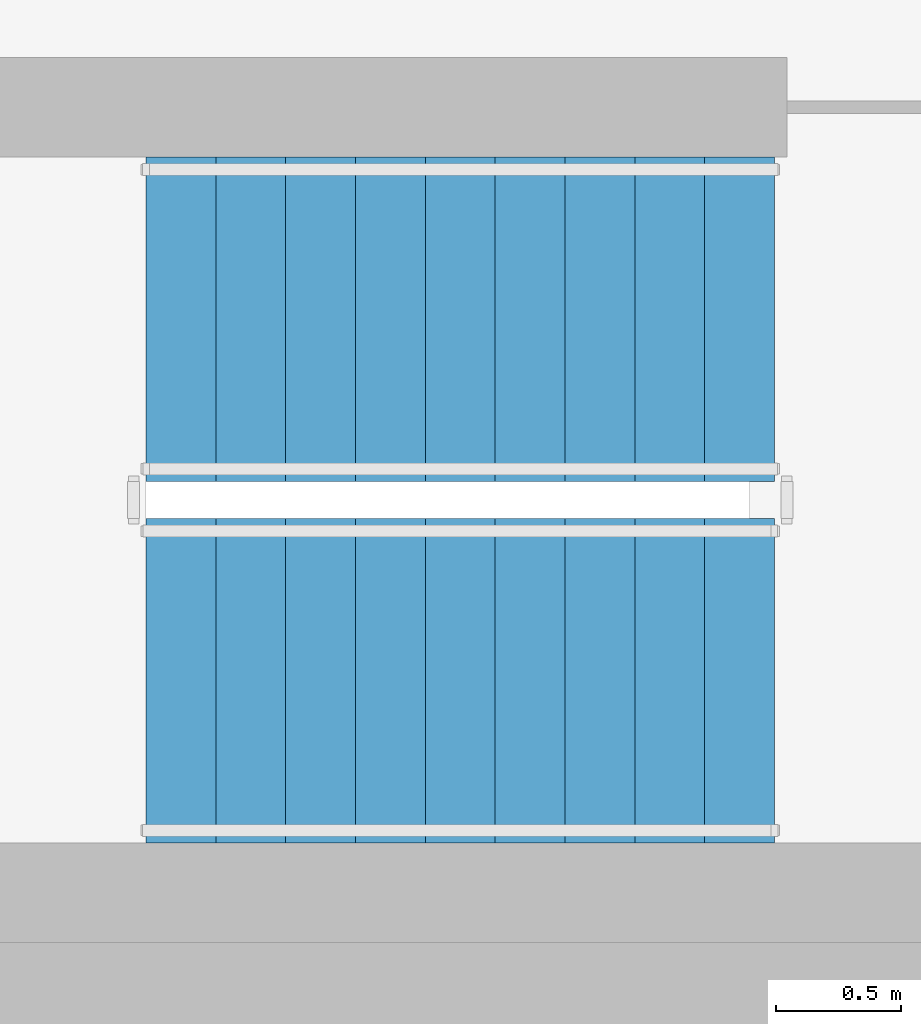
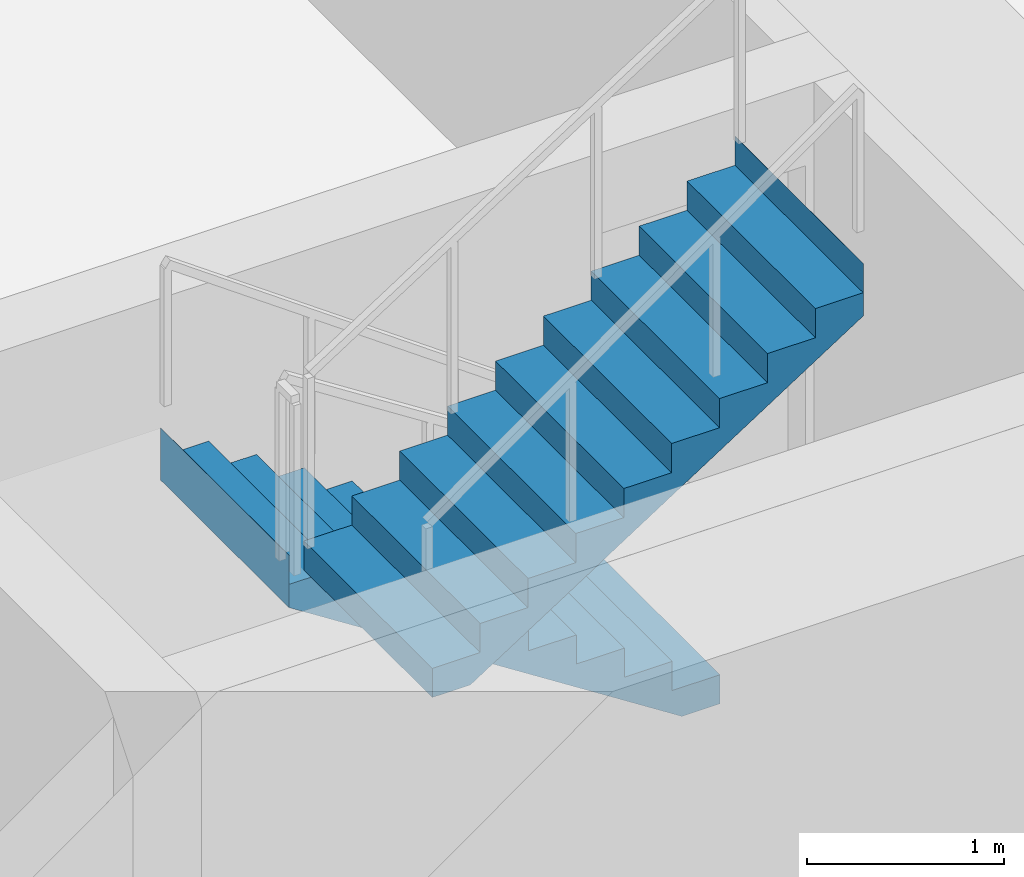
# One storey, part 19 of 23: 2 stair flights, 1 element without a shape of its own.
"""IFC4 building model written with IfcOpenShell, lengths in metres."""

from ifc_helpers import new_model, si_unit, direction, frame, origin, place, context, subcontext, project, spatial, triangles, material, type_object, element, aggregate, save


model = new_model("IFC4")

# Units and contexts
model_context = context("Model", 3, precision=1e-05, world=origin(), true_north=direction((0.0, 1.0)))
body_context = subcontext(model_context, "Body", "Model", "MODEL_VIEW")
ifc_project = project(units=[si_unit("LENGTHUNIT", "METRE"), si_unit("AREAUNIT", "SQUARE_METRE"), si_unit("VOLUMEUNIT", "CUBIC_METRE"), si_unit("PLANEANGLEUNIT", "RADIAN"), si_unit("MASSUNIT", "GRAM", prefix="KILO")], contexts=[model_context])

# Site, building, storey
site_placement = place(None, origin())
site = spatial("IfcSite", under=ifc_project, at=site_placement, CompositionType="ELEMENT")
building_placement = place(site_placement, origin())
building = spatial("IfcBuilding", under=site, at=building_placement, Name="Beryl Residences", CompositionType="ELEMENT")
storey_placement = place(building_placement, frame((0.0, 0.0, 108.0)))
storey = spatial("IfcBuildingStorey", under=building, at=storey_placement, Name="L33", CompositionType="ELEMENT", Elevation=108.0)

# Stair, stair flights
ifc_material_1 = material(Name="Concrete C40/50", Category="concrete")
stair_type = type_object("IfcStairType", Name="ST1 protected exit stair, half-turn, 1300 mm flights", PredefinedType="HALF_TURN_STAIR", material=ifc_material_1)
stair_placement = place(storey_placement, origin())
stair = element("IfcStair", 1, at=stair_placement, inside=storey, type_object=stair_type, Name="L33 PROTECTED EXIT STAIR ST-3", PredefinedType="HALF_TURN_STAIR")
ifc_material_2 = material(Name="Concrete C40/50", Category="concrete")
stair_flight_type = type_object("IfcStairFlightType", Name="SF1 stair flight 1300 mm", PredefinedType="STRAIGHT", material=ifc_material_2)
stair_flight_1_placement = place(storey_placement, frame((10.800048828125, -15.5, 0.0), z_axis=(0.0, 0.0, 1.0), x_axis=(-1.0, 0.0, 0.0)))
stair_flight_1 = element("IfcStairFlight", 2, at=stair_flight_1_placement, type_object=stair_flight_type, Name="ST-3 flight 1", NumberOfRisers=10, NumberOfTreads=9, PredefinedType="STRAIGHT", RiserHeight=0.18, TreadLength=0.28, context=body_context, shape_type="Tessellation", body=[
    triangles([(0.0, -0.64990234375, 0.0), (0.0, -0.324951171875, 0.0), (0.0, 0.0, 0.0), (0.0, 0.324951171875, 0.0), (0.0, 0.64990234375, 0.0), (0.0, -0.64990234375, 0.179931640625), (0.0, -0.324951171875, 0.179931640625), (0.0, 0.0, 0.179931640625), (0.0, 0.324951171875, 0.179931640625), (0.0, 0.64990234375, 0.179931640625), (0.280029296875, -0.64990234375, 0.179931640625), (0.280029296875, -0.324951171875, 0.179931640625), (0.280029296875, 0.0, 0.179931640625), (0.280029296875, 0.324951171875, 0.179931640625), (0.280029296875, 0.64990234375, 0.179931640625), (0.280029296875, -0.64990234375, 0.360107421875), (0.280029296875, -0.324951171875, 0.360107421875), (0.280029296875, 0.0, 0.360107421875), (0.280029296875, 0.324951171875, 0.360107421875), (0.280029296875, 0.64990234375, 0.360107421875), (0.56005859375, -0.64990234375, 0.360107421875), (0.56005859375, -0.324951171875, 0.360107421875), (0.56005859375, 0.0, 0.360107421875), (0.56005859375, 0.324951171875, 0.360107421875), (0.56005859375, 0.64990234375, 0.360107421875), (0.56005859375, -0.64990234375, 0.5400390625), (0.56005859375, -0.324951171875, 0.5400390625), (0.56005859375, 0.0, 0.5400390625), (0.56005859375, 0.324951171875, 0.5400390625), (0.56005859375, 0.64990234375, 0.5400390625), (0.840087890625, -0.64990234375, 0.5400390625), (0.840087890625, -0.324951171875, 0.5400390625), (0.840087890625, 0.0, 0.5400390625), (0.840087890625, 0.324951171875, 0.5400390625), (0.840087890625, 0.64990234375, 0.5400390625), (0.840087890625, -0.64990234375, 0.719970703125), (0.840087890625, -0.324951171875, 0.719970703125), (0.840087890625, 0.0, 0.719970703125), (0.840087890625, 0.324951171875, 0.719970703125), (0.840087890625, 0.64990234375, 0.719970703125), (1.1201171875, -0.64990234375, 0.719970703125), (1.1201171875, -0.324951171875, 0.719970703125), (1.1201171875, 0.0, 0.719970703125), (1.1201171875, 0.324951171875, 0.719970703125), (1.1201171875, 0.64990234375, 0.719970703125), (1.1201171875, -0.64990234375, 0.89990234375), (1.1201171875, -0.324951171875, 0.89990234375), (1.1201171875, 0.0, 0.89990234375), (1.1201171875, 0.324951171875, 0.89990234375), (1.1201171875, 0.64990234375, 0.89990234375), (1.39990234375, -0.64990234375, 0.89990234375), (1.39990234375, -0.324951171875, 0.89990234375), (1.39990234375, 0.0, 0.89990234375), (1.39990234375, 0.324951171875, 0.89990234375), (1.39990234375, 0.64990234375, 0.89990234375), (1.39990234375, -0.64990234375, 1.080078125), (1.39990234375, -0.324951171875, 1.080078125), (1.39990234375, 0.0, 1.080078125), (1.39990234375, 0.324951171875, 1.080078125), (1.39990234375, 0.64990234375, 1.080078125), (1.679931640625, -0.64990234375, 1.080078125), (1.679931640625, -0.324951171875, 1.080078125), (1.679931640625, 0.0, 1.080078125), (1.679931640625, 0.324951171875, 1.080078125), (1.679931640625, 0.64990234375, 1.080078125), (1.679931640625, -0.64990234375, 1.260009765625), (1.679931640625, -0.324951171875, 1.260009765625), (1.679931640625, 0.0, 1.260009765625), (1.679931640625, 0.324951171875, 1.260009765625), (1.679931640625, 0.64990234375, 1.260009765625), (1.9599609375, -0.64990234375, 1.260009765625), (1.9599609375, -0.324951171875, 1.260009765625), (1.9599609375, 0.0, 1.260009765625), (1.9599609375, 0.324951171875, 1.260009765625), (1.9599609375, 0.64990234375, 1.260009765625), (1.9599609375, -0.64990234375, 1.43994140625), (1.9599609375, -0.324951171875, 1.43994140625), (1.9599609375, 0.0, 1.43994140625), (1.9599609375, 0.324951171875, 1.43994140625), (1.9599609375, 0.64990234375, 1.43994140625), (2.239990234375, -0.64990234375, 1.43994140625), (2.239990234375, -0.324951171875, 1.43994140625), (2.239990234375, 0.0, 1.43994140625), (2.239990234375, 0.324951171875, 1.43994140625), (2.239990234375, 0.64990234375, 1.43994140625), (2.239990234375, -0.64990234375, 1.6201171875), (2.239990234375, -0.324951171875, 1.6201171875), (2.239990234375, 0.0, 1.6201171875), (2.239990234375, 0.324951171875, 1.6201171875), (2.239990234375, 0.64990234375, 1.6201171875), (2.52001953125, -0.64990234375, 1.6201171875), (2.52001953125, -0.324951171875, 1.6201171875), (2.52001953125, 0.0, 1.6201171875), (2.52001953125, 0.324951171875, 1.6201171875), (2.52001953125, 0.64990234375, 1.6201171875), (2.52001953125, -0.64990234375, 1.800048828125), (2.52001953125, -0.324951171875, 1.800048828125), (2.52001953125, 0.0, 1.800048828125), (2.52001953125, 0.324951171875, 1.800048828125), (2.52001953125, 0.64990234375, 1.800048828125), (2.52099609375, -0.64990234375, 1.800048828125), (2.52099609375, -0.324951171875, 1.800048828125), (2.52099609375, 0.0, 1.800048828125), (2.52099609375, 0.324951171875, 1.800048828125), (2.52099609375, 0.64990234375, 1.800048828125), (2.52099609375, -0.64990234375, 1.477294921875), (2.52099609375, -0.324951171875, 1.477294921875), (2.52099609375, 0.0, 1.477294921875), (2.52099609375, 0.324951171875, 1.477294921875), (2.52099609375, 0.64990234375, 1.477294921875), (0.22314453125, -0.64990234375, 0.0), (0.22314453125, -0.324951171875, 0.0), (0.22314453125, 0.0, 0.0), (0.22314453125, 0.324951171875, 0.0), (0.22314453125, 0.64990234375, 0.0)], [[1, 6, 7], [1, 7, 2], [2, 7, 8], [2, 8, 3], [3, 8, 9], [3, 9, 4], [4, 9, 10], [4, 10, 5], [6, 11, 12], [6, 12, 7], [7, 12, 13], [7, 13, 8], [8, 13, 14], [8, 14, 9], [9, 14, 15], [9, 15, 10], [11, 16, 17], [11, 17, 12], [12, 17, 18], [12, 18, 13], [13, 18, 19], [13, 19, 14], [14, 19, 20], [14, 20, 15], [16, 21, 22], [16, 22, 17], [17, 22, 23], [17, 23, 18], [18, 23, 24], [18, 24, 19], [19, 24, 25], [19, 25, 20], [21, 26, 27], [21, 27, 22], [22, 27, 28], [22, 28, 23], [23, 28, 29], [23, 29, 24], [24, 29, 30], [24, 30, 25], [26, 31, 32], [26, 32, 27], [27, 32, 33], [27, 33, 28], [28, 33, 34], [28, 34, 29], [29, 34, 35], [29, 35, 30], [31, 36, 37], [31, 37, 32], [32, 37, 38], [32, 38, 33], [33, 38, 39], [33, 39, 34], [34, 39, 40], [34, 40, 35], [36, 41, 42], [36, 42, 37], [37, 42, 43], [37, 43, 38], [38, 43, 44], [38, 44, 39], [39, 44, 45], [39, 45, 40], [41, 46, 47], [41, 47, 42], [42, 47, 48], [42, 48, 43], [43, 48, 49], [43, 49, 44], [44, 49, 50], [44, 50, 45], [46, 51, 52], [46, 52, 47], [47, 52, 53], [47, 53, 48], [48, 53, 54], [48, 54, 49], [49, 54, 55], [49, 55, 50], [51, 56, 57], [51, 57, 52], [52, 57, 58], [52, 58, 53], [53, 58, 59], [53, 59, 54], [54, 59, 60], [54, 60, 55], [56, 61, 62], [56, 62, 57], [57, 62, 63], [57, 63, 58], [58, 63, 64], [58, 64, 59], [59, 64, 65], [59, 65, 60], [61, 66, 67], [61, 67, 62], [62, 67, 68], [62, 68, 63], [63, 68, 69], [63, 69, 64], [64, 69, 70], [64, 70, 65], [66, 71, 72], [66, 72, 67], [67, 72, 73], [67, 73, 68], [68, 73, 74], [68, 74, 69], [69, 74, 75], [69, 75, 70], [71, 76, 77], [71, 77, 72], [72, 77, 78], [72, 78, 73], [73, 78, 79], [73, 79, 74], [74, 79, 80], [74, 80, 75], [76, 81, 82], [76, 82, 77], [77, 82, 83], [77, 83, 78], [78, 83, 84], [78, 84, 79], [79, 84, 85], [79, 85, 80], [81, 86, 87], [81, 87, 82], [82, 87, 88], [82, 88, 83], [83, 88, 89], [83, 89, 84], [84, 89, 90], [84, 90, 85], [86, 91, 92], [86, 92, 87], [87, 92, 93], [87, 93, 88], [88, 93, 94], [88, 94, 89], [89, 94, 95], [89, 95, 90], [91, 96, 97], [91, 97, 92], [92, 97, 98], [92, 98, 93], [93, 98, 99], [93, 99, 94], [94, 99, 100], [94, 100, 95], [96, 101, 102], [96, 102, 97], [97, 102, 103], [97, 103, 98], [98, 103, 104], [98, 104, 99], [99, 104, 105], [99, 105, 100], [101, 106, 107], [101, 107, 102], [102, 107, 108], [102, 108, 103], [103, 108, 109], [103, 109, 104], [104, 109, 110], [104, 110, 105], [106, 111, 112], [106, 112, 107], [107, 112, 113], [107, 113, 108], [108, 113, 114], [108, 114, 109], [109, 114, 115], [109, 115, 110], [111, 1, 2], [111, 2, 112], [112, 2, 3], [112, 3, 113], [113, 3, 4], [113, 4, 114], [114, 4, 5], [114, 5, 115], [1, 111, 106], [5, 110, 115], [106, 101, 96], [110, 100, 105], [106, 96, 91], [110, 95, 100], [106, 91, 86], [110, 90, 95], [106, 86, 81], [110, 85, 90], [81, 76, 71], [85, 75, 80], [106, 81, 71], [110, 75, 85], [71, 66, 61], [75, 65, 70], [106, 71, 61], [110, 65, 75], [61, 56, 51], [65, 55, 60], [106, 61, 51], [110, 55, 65], [51, 46, 41], [55, 45, 50], [106, 51, 41], [110, 45, 55], [41, 36, 31], [45, 35, 40], [106, 41, 31], [110, 35, 45], [31, 26, 21], [35, 25, 30], [106, 31, 21], [110, 25, 35], [21, 16, 11], [25, 15, 20], [106, 21, 11], [110, 15, 25], [1, 106, 11], [5, 15, 110], [11, 6, 1], [15, 5, 10]], closed=True),
])
stair_flight_2_placement = place(storey_placement, frame((8.280029296875, -16.949951171875, 1.800048828125), z_axis=(0.0, 0.0, 1.0), x_axis=(1.0, 0.0, 0.0)))
stair_flight_2 = element("IfcStairFlight", 3, at=stair_flight_2_placement, type_object=stair_flight_type, Name="ST-3 flight 2", NumberOfRisers=10, NumberOfTreads=9, PredefinedType="STRAIGHT", RiserHeight=0.18, TreadLength=0.28, context=body_context, shape_type="Tessellation", body=[
    triangles([(0.0, -0.64990234375, 0.0), (0.0, -0.324951171875, 0.0), (0.0, 0.0, 0.0), (0.0, 0.324951171875, 0.0), (0.0, 0.64990234375, 0.0), (0.0, -0.64990234375, 0.179931640625), (0.0, -0.324951171875, 0.179931640625), (0.0, 0.0, 0.179931640625), (0.0, 0.324951171875, 0.179931640625), (0.0, 0.64990234375, 0.179931640625), (0.280029296875, -0.64990234375, 0.179931640625), (0.280029296875, -0.324951171875, 0.179931640625), (0.280029296875, 0.0, 0.179931640625), (0.280029296875, 0.324951171875, 0.179931640625), (0.280029296875, 0.64990234375, 0.179931640625), (0.280029296875, -0.64990234375, 0.360107421875), (0.280029296875, -0.324951171875, 0.360107421875), (0.280029296875, 0.0, 0.360107421875), (0.280029296875, 0.324951171875, 0.360107421875), (0.280029296875, 0.64990234375, 0.360107421875), (0.56005859375, -0.64990234375, 0.360107421875), (0.56005859375, -0.324951171875, 0.360107421875), (0.56005859375, 0.0, 0.360107421875), (0.56005859375, 0.324951171875, 0.360107421875), (0.56005859375, 0.64990234375, 0.360107421875), (0.56005859375, -0.64990234375, 0.5400390625), (0.56005859375, -0.324951171875, 0.5400390625), (0.56005859375, 0.0, 0.5400390625), (0.56005859375, 0.324951171875, 0.5400390625), (0.56005859375, 0.64990234375, 0.5400390625), (0.840087890625, -0.64990234375, 0.5400390625), (0.840087890625, -0.324951171875, 0.5400390625), (0.840087890625, 0.0, 0.5400390625), (0.840087890625, 0.324951171875, 0.5400390625), (0.840087890625, 0.64990234375, 0.5400390625), (0.840087890625, -0.64990234375, 0.719970703125), (0.840087890625, -0.324951171875, 0.719970703125), (0.840087890625, 0.0, 0.719970703125), (0.840087890625, 0.324951171875, 0.719970703125), (0.840087890625, 0.64990234375, 0.719970703125), (1.1201171875, -0.64990234375, 0.719970703125), (1.1201171875, -0.324951171875, 0.719970703125), (1.1201171875, 0.0, 0.719970703125), (1.1201171875, 0.324951171875, 0.719970703125), (1.1201171875, 0.64990234375, 0.719970703125), (1.1201171875, -0.64990234375, 0.89990234375), (1.1201171875, -0.324951171875, 0.89990234375), (1.1201171875, 0.0, 0.89990234375), (1.1201171875, 0.324951171875, 0.89990234375), (1.1201171875, 0.64990234375, 0.89990234375), (1.39990234375, -0.64990234375, 0.89990234375), (1.39990234375, -0.324951171875, 0.89990234375), (1.39990234375, 0.0, 0.89990234375), (1.39990234375, 0.324951171875, 0.89990234375), (1.39990234375, 0.64990234375, 0.89990234375), (1.39990234375, -0.64990234375, 1.080078125), (1.39990234375, -0.324951171875, 1.080078125), (1.39990234375, 0.0, 1.080078125), (1.39990234375, 0.324951171875, 1.080078125), (1.39990234375, 0.64990234375, 1.080078125), (1.679931640625, -0.64990234375, 1.080078125), (1.679931640625, -0.324951171875, 1.080078125), (1.679931640625, 0.0, 1.080078125), (1.679931640625, 0.324951171875, 1.080078125), (1.679931640625, 0.64990234375, 1.080078125), (1.679931640625, -0.64990234375, 1.260009765625), (1.679931640625, -0.324951171875, 1.260009765625), (1.679931640625, 0.0, 1.260009765625), (1.679931640625, 0.324951171875, 1.260009765625), (1.679931640625, 0.64990234375, 1.260009765625), (1.9599609375, -0.64990234375, 1.260009765625), (1.9599609375, -0.324951171875, 1.260009765625), (1.9599609375, 0.0, 1.260009765625), (1.9599609375, 0.324951171875, 1.260009765625), (1.9599609375, 0.64990234375, 1.260009765625), (1.9599609375, -0.64990234375, 1.43994140625), (1.9599609375, -0.324951171875, 1.43994140625), (1.9599609375, 0.0, 1.43994140625), (1.9599609375, 0.324951171875, 1.43994140625), (1.9599609375, 0.64990234375, 1.43994140625), (2.239990234375, -0.64990234375, 1.43994140625), (2.239990234375, -0.324951171875, 1.43994140625), (2.239990234375, 0.0, 1.43994140625), (2.239990234375, 0.324951171875, 1.43994140625), (2.239990234375, 0.64990234375, 1.43994140625), (2.239990234375, -0.64990234375, 1.6201171875), (2.239990234375, -0.324951171875, 1.6201171875), (2.239990234375, 0.0, 1.6201171875), (2.239990234375, 0.324951171875, 1.6201171875), (2.239990234375, 0.64990234375, 1.6201171875), (2.52001953125, -0.64990234375, 1.6201171875), (2.52001953125, -0.324951171875, 1.6201171875), (2.52001953125, 0.0, 1.6201171875), (2.52001953125, 0.324951171875, 1.6201171875), (2.52001953125, 0.64990234375, 1.6201171875), (2.52001953125, -0.64990234375, 1.800048828125), (2.52001953125, -0.324951171875, 1.800048828125), (2.52001953125, 0.0, 1.800048828125), (2.52001953125, 0.324951171875, 1.800048828125), (2.52001953125, 0.64990234375, 1.800048828125), (2.52099609375, -0.64990234375, 1.800048828125), (2.52099609375, -0.324951171875, 1.800048828125), (2.52099609375, 0.0, 1.800048828125), (2.52099609375, 0.324951171875, 1.800048828125), (2.52099609375, 0.64990234375, 1.800048828125), (2.52099609375, -0.64990234375, 1.477294921875), (2.52099609375, -0.324951171875, 1.477294921875), (2.52099609375, 0.0, 1.477294921875), (2.52099609375, 0.324951171875, 1.477294921875), (2.52099609375, 0.64990234375, 1.477294921875), (0.22314453125, -0.64990234375, 0.0), (0.22314453125, -0.324951171875, 0.0), (0.22314453125, 0.0, 0.0), (0.22314453125, 0.324951171875, 0.0), (0.22314453125, 0.64990234375, 0.0)], [[1, 6, 7], [1, 7, 2], [2, 7, 8], [2, 8, 3], [3, 8, 9], [3, 9, 4], [4, 9, 10], [4, 10, 5], [6, 11, 12], [6, 12, 7], [7, 12, 13], [7, 13, 8], [8, 13, 14], [8, 14, 9], [9, 14, 15], [9, 15, 10], [11, 16, 17], [11, 17, 12], [12, 17, 18], [12, 18, 13], [13, 18, 19], [13, 19, 14], [14, 19, 20], [14, 20, 15], [16, 21, 22], [16, 22, 17], [17, 22, 23], [17, 23, 18], [18, 23, 24], [18, 24, 19], [19, 24, 25], [19, 25, 20], [21, 26, 27], [21, 27, 22], [22, 27, 28], [22, 28, 23], [23, 28, 29], [23, 29, 24], [24, 29, 30], [24, 30, 25], [26, 31, 32], [26, 32, 27], [27, 32, 33], [27, 33, 28], [28, 33, 34], [28, 34, 29], [29, 34, 35], [29, 35, 30], [31, 36, 37], [31, 37, 32], [32, 37, 38], [32, 38, 33], [33, 38, 39], [33, 39, 34], [34, 39, 40], [34, 40, 35], [36, 41, 42], [36, 42, 37], [37, 42, 43], [37, 43, 38], [38, 43, 44], [38, 44, 39], [39, 44, 45], [39, 45, 40], [41, 46, 47], [41, 47, 42], [42, 47, 48], [42, 48, 43], [43, 48, 49], [43, 49, 44], [44, 49, 50], [44, 50, 45], [46, 51, 52], [46, 52, 47], [47, 52, 53], [47, 53, 48], [48, 53, 54], [48, 54, 49], [49, 54, 55], [49, 55, 50], [51, 56, 57], [51, 57, 52], [52, 57, 58], [52, 58, 53], [53, 58, 59], [53, 59, 54], [54, 59, 60], [54, 60, 55], [56, 61, 62], [56, 62, 57], [57, 62, 63], [57, 63, 58], [58, 63, 64], [58, 64, 59], [59, 64, 65], [59, 65, 60], [61, 66, 67], [61, 67, 62], [62, 67, 68], [62, 68, 63], [63, 68, 69], [63, 69, 64], [64, 69, 70], [64, 70, 65], [66, 71, 72], [66, 72, 67], [67, 72, 73], [67, 73, 68], [68, 73, 74], [68, 74, 69], [69, 74, 75], [69, 75, 70], [71, 76, 77], [71, 77, 72], [72, 77, 78], [72, 78, 73], [73, 78, 79], [73, 79, 74], [74, 79, 80], [74, 80, 75], [76, 81, 82], [76, 82, 77], [77, 82, 83], [77, 83, 78], [78, 83, 84], [78, 84, 79], [79, 84, 85], [79, 85, 80], [81, 86, 87], [81, 87, 82], [82, 87, 88], [82, 88, 83], [83, 88, 89], [83, 89, 84], [84, 89, 90], [84, 90, 85], [86, 91, 92], [86, 92, 87], [87, 92, 93], [87, 93, 88], [88, 93, 94], [88, 94, 89], [89, 94, 95], [89, 95, 90], [91, 96, 97], [91, 97, 92], [92, 97, 98], [92, 98, 93], [93, 98, 99], [93, 99, 94], [94, 99, 100], [94, 100, 95], [96, 101, 102], [96, 102, 97], [97, 102, 103], [97, 103, 98], [98, 103, 104], [98, 104, 99], [99, 104, 105], [99, 105, 100], [101, 106, 107], [101, 107, 102], [102, 107, 108], [102, 108, 103], [103, 108, 109], [103, 109, 104], [104, 109, 110], [104, 110, 105], [106, 111, 112], [106, 112, 107], [107, 112, 113], [107, 113, 108], [108, 113, 114], [108, 114, 109], [109, 114, 115], [109, 115, 110], [111, 1, 2], [111, 2, 112], [112, 2, 3], [112, 3, 113], [113, 3, 4], [113, 4, 114], [114, 4, 5], [114, 5, 115], [1, 111, 106], [5, 110, 115], [106, 101, 96], [110, 100, 105], [106, 96, 91], [110, 95, 100], [106, 91, 86], [110, 90, 95], [106, 86, 81], [110, 85, 90], [81, 76, 71], [85, 75, 80], [106, 81, 71], [110, 75, 85], [71, 66, 61], [75, 65, 70], [106, 71, 61], [110, 65, 75], [61, 56, 51], [65, 55, 60], [106, 61, 51], [110, 55, 65], [51, 46, 41], [55, 45, 50], [106, 51, 41], [110, 45, 55], [41, 36, 31], [45, 35, 40], [106, 41, 31], [110, 35, 45], [31, 26, 21], [35, 25, 30], [106, 31, 21], [110, 25, 35], [21, 16, 11], [25, 15, 20], [106, 21, 11], [110, 15, 25], [1, 106, 11], [5, 15, 110], [11, 6, 1], [15, 5, 10]], closed=True),
])
aggregate(stair, [stair_flight_1, stair_flight_2])

save(model, "model.ifc")
